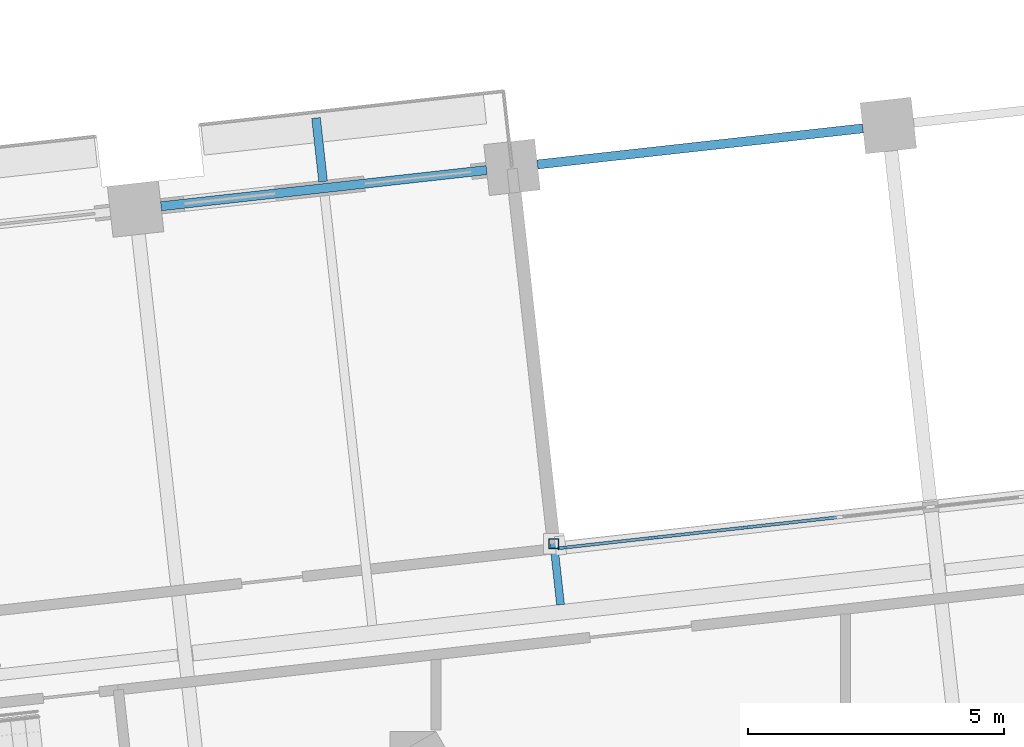
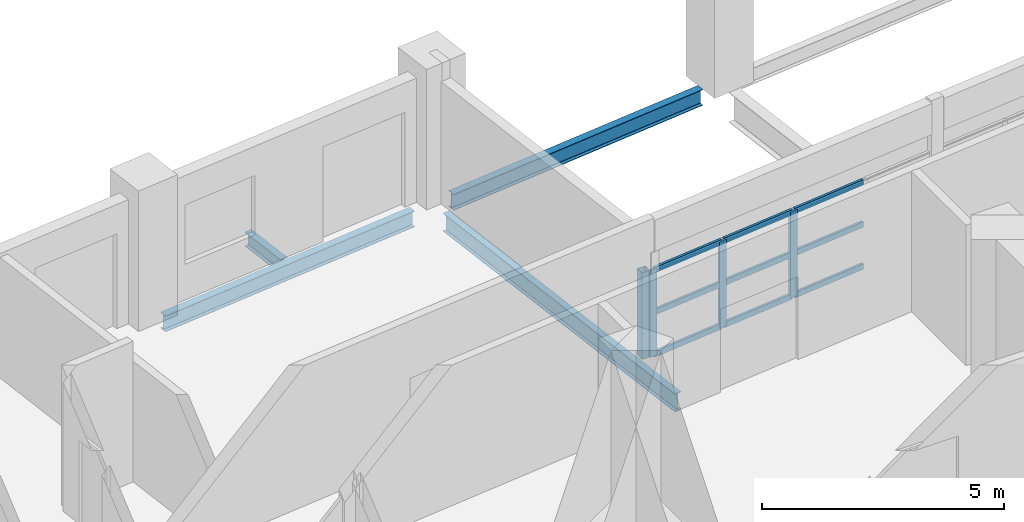
# One storey, part 3 of 20: 13 members, 4 beams, 1 element without a shape of its own.
"""IFC4 building model written with IfcOpenShell, lengths in metres."""

from ifc_helpers import new_model, si_unit, direction, frame, origin, origin_2d, place, context, subcontext, project, spatial, rectangle, hollow_rectangle, i_section, extrude, material, material_profile, profile_set, type_object, element, aggregate, save


model = new_model("IFC4")

# Units and contexts
model_context = context("Model", 3, precision=1e-05, world=origin(), true_north=direction((0.0, 1.0)))
body_context = subcontext(model_context, "Body", "Model", "MODEL_VIEW")
ifc_project = project(units=[si_unit("LENGTHUNIT", "METRE"), si_unit("AREAUNIT", "SQUARE_METRE"), si_unit("VOLUMEUNIT", "CUBIC_METRE"), si_unit("PLANEANGLEUNIT", "RADIAN"), si_unit("MASSUNIT", "GRAM", prefix="KILO")], contexts=[model_context])

# Site, building, storey
site_placement = place(None, origin())
site = spatial("IfcSite", under=ifc_project, at=site_placement, CompositionType="ELEMENT")
building_placement = place(site_placement, origin())
building = spatial("IfcBuilding", under=site, at=building_placement, Name="Cantera Rosa Tower", CompositionType="ELEMENT")
storey_placement = place(building_placement, frame((0.0, 0.0, 46.300048828125)))
storey = spatial("IfcBuildingStorey", under=building, at=storey_placement, Name="L08", CompositionType="ELEMENT", Elevation=46.300048828125)

# Curtain wall, members
ifc_material_1 = material(Name="Aluminium frame with clear glass", Category="aluminium")
curtain_wall_type = type_object("IfcCurtainWallType", Name="CW1 TERRACE POCKET GLAZING", PredefinedType="NOTDEFINED", material=ifc_material_1)
curtain_wall_placement = place(storey_placement, origin())
curtain_wall = element("IfcCurtainWall", 1, at=curtain_wall_placement, inside=storey, type_object=curtain_wall_type, Name="CW1 CW1", PredefinedType="NOTDEFINED")
ifc_material_2 = material(Name="Anodised bronze aluminium", Category="aluminium")
ifc_material_profile_1 = material_profile(ifc_material_2, rectangle(XDim=0.06005859375, YDim=0.179931640625, at=origin_2d()), Name="CW-MULLION 60x180 POCKET")
ifc_profile_set_1 = profile_set([ifc_material_profile_1], Name="Anodised bronze aluminium")
member_type_1 = type_object("IfcMemberType", Name="CW-MULLION 60x180 POCKET", PredefinedType="MULLION", material=ifc_profile_set_1)
member_1_placement = place(storey_placement, frame((2.0517578125, 15.62158203125, 0.0), z_axis=(0.0, 0.0, 1.0), x_axis=(0.110312555543, -0.993896946413, 0.0)))
member_1 = element("IfcMember", 2, at=member_1_placement, type_object=member_type_1, Name="CW1 mullion 7", PredefinedType="MULLION", context=body_context, shape_type="SweptSolid", body=[
    extrude(rectangle(XDim=0.06005859375, YDim=0.179931640625, at=origin_2d()), origin(), (0.0, 0.0, 1.0), 2.18603515625),
])
member_2_placement = place(storey_placement, frame((0.244140625, 15.421142578125, 0.0), z_axis=(0.0, 0.0, 1.0), x_axis=(0.110312555543, -0.993896946413, 0.0)))
member_2 = element("IfcMember", 3, at=member_2_placement, type_object=member_type_1, Name="CW1 mullion 8", PredefinedType="MULLION", context=body_context, shape_type="SweptSolid", body=[
    extrude(rectangle(XDim=0.06005859375, YDim=0.179931640625, at=origin_2d()), origin(), (0.0, 0.0, 1.0), 2.18603515625),
])
member_3_placement = place(storey_placement, frame((-1.53369140625, 15.2236328125, 0.0), z_axis=(0.0, 0.0, 1.0), x_axis=(0.110312555543, -0.993896946413, 0.0)))
member_3 = element("IfcMember", 4, at=member_3_placement, type_object=member_type_1, Name="CW1 mullion 9", PredefinedType="MULLION", context=body_context, shape_type="SweptSolid", body=[
    extrude(rectangle(XDim=0.06005859375, YDim=0.179931640625, at=origin_2d()), origin(), (0.0, 0.0, 1.0), 2.18603515625),
])
ifc_material_3 = material(Name="Anodised bronze aluminium", Category="aluminium")
ifc_material_profile_2 = material_profile(ifc_material_3, rectangle(XDim=0.06005859375, YDim=0.139892578125, at=origin_2d()), Name="CW-TRANSOM 60x140 POCKET")
ifc_profile_set_2 = profile_set([ifc_material_profile_2], Name="Anodised bronze aluminium")
member_type_2 = type_object("IfcMemberType", Name="CW-TRANSOM 60x140 POCKET", PredefinedType="USERDEFINED", material=ifc_profile_set_2)
member_4_placement = place(storey_placement, frame((3.82958984375, 15.819091796875, 0.030029296875), z_axis=(-0.993892195886, -0.110355348566, 0.0), x_axis=(0.110355348566, -0.993892195886, 0.0)))
member_4 = element("IfcMember", 5, at=member_4_placement, type_object=member_type_2, Name="CW1 transom 6.1", ObjectType="TRANSOM", PredefinedType="USERDEFINED", context=body_context, shape_type="SweptSolid", body=[
    extrude(rectangle(XDim=0.06005859375, YDim=0.139892578125, at=origin_2d()), origin(), (0.0, 0.0, 1.0), 1.7587890625),
])
member_5_placement = place(storey_placement, frame((3.82958984375, 15.819091796875, 1.093017578125), z_axis=(-0.993892195886, -0.110355348566, 0.0), x_axis=(0.110355348566, -0.993892195886, 0.0)))
member_5 = element("IfcMember", 6, at=member_5_placement, type_object=member_type_2, Name="CW1 transom 6.2", ObjectType="TRANSOM", PredefinedType="USERDEFINED", context=body_context, shape_type="SweptSolid", body=[
    extrude(rectangle(XDim=0.06005859375, YDim=0.139892578125, at=origin_2d()), origin(), (0.0, 0.0, 1.0), 1.7587890625),
])
member_6_placement = place(storey_placement, frame((3.82958984375, 15.819091796875, 2.156005859375), z_axis=(-0.993892195886, -0.110355348566, 0.0), x_axis=(0.110355348566, -0.993892195886, 0.0)))
member_6 = element("IfcMember", 7, at=member_6_placement, type_object=member_type_2, Name="CW1 transom 6.3", ObjectType="TRANSOM", PredefinedType="USERDEFINED", context=body_context, shape_type="SweptSolid", body=[
    extrude(rectangle(XDim=0.06005859375, YDim=0.139892578125, at=origin_2d()), origin(), (0.0, 0.0, 1.0), 1.7587890625),
])
member_7_placement = place(storey_placement, frame((2.02197265625, 15.618408203125, 0.030029296875), z_axis=(-0.993892195886, -0.110355348566, 0.0), x_axis=(0.110355348566, -0.993892195886, 0.0)))
member_7 = element("IfcMember", 8, at=member_7_placement, type_object=member_type_2, Name="CW1 transom 7.1", ObjectType="TRANSOM", PredefinedType="USERDEFINED", context=body_context, shape_type="SweptSolid", body=[
    extrude(rectangle(XDim=0.06005859375, YDim=0.139892578125, at=origin_2d()), origin(), (0.0, 0.0, 1.0), 1.7587890625),
])
member_8_placement = place(storey_placement, frame((2.02197265625, 15.618408203125, 1.093017578125), z_axis=(-0.993892195886, -0.110355348566, 0.0), x_axis=(0.110355348566, -0.993892195886, 0.0)))
member_8 = element("IfcMember", 9, at=member_8_placement, type_object=member_type_2, Name="CW1 transom 7.2", ObjectType="TRANSOM", PredefinedType="USERDEFINED", context=body_context, shape_type="SweptSolid", body=[
    extrude(rectangle(XDim=0.06005859375, YDim=0.139892578125, at=origin_2d()), origin(), (0.0, 0.0, 1.0), 1.7587890625),
])
member_9_placement = place(storey_placement, frame((2.02197265625, 15.618408203125, 2.156005859375), z_axis=(-0.993892195886, -0.110355348566, 0.0), x_axis=(0.110355348566, -0.993892195886, 0.0)))
member_9 = element("IfcMember", 10, at=member_9_placement, type_object=member_type_2, Name="CW1 transom 7.3", ObjectType="TRANSOM", PredefinedType="USERDEFINED", context=body_context, shape_type="SweptSolid", body=[
    extrude(rectangle(XDim=0.06005859375, YDim=0.139892578125, at=origin_2d()), origin(), (0.0, 0.0, 1.0), 1.7587890625),
])
member_10_placement = place(storey_placement, frame((0.21435546875, 15.417724609375, 0.030029296875), z_axis=(-0.993899224529, -0.110292028184, 0.0), x_axis=(0.110292028184, -0.993899224529, 0.0)))
member_10 = element("IfcMember", 11, at=member_10_placement, type_object=member_type_2, Name="CW1 transom 8.1", ObjectType="TRANSOM", PredefinedType="USERDEFINED", context=body_context, shape_type="SweptSolid", body=[
    extrude(rectangle(XDim=0.06005859375, YDim=0.139892578125, at=origin_2d()), origin(), (0.0, 0.0, 1.0), 1.728759765625),
])
member_11_placement = place(storey_placement, frame((0.21435546875, 15.417724609375, 1.093017578125), z_axis=(-0.993899224529, -0.110292028184, 0.0), x_axis=(0.110292028184, -0.993899224529, 0.0)))
member_11 = element("IfcMember", 12, at=member_11_placement, type_object=member_type_2, Name="CW1 transom 8.2", ObjectType="TRANSOM", PredefinedType="USERDEFINED", context=body_context, shape_type="SweptSolid", body=[
    extrude(rectangle(XDim=0.06005859375, YDim=0.139892578125, at=origin_2d()), origin(), (0.0, 0.0, 1.0), 1.728759765625),
])
member_12_placement = place(storey_placement, frame((0.21435546875, 15.417724609375, 2.156005859375), z_axis=(-0.993899224529, -0.110292028184, 0.0), x_axis=(0.110292028184, -0.993899224529, 0.0)))
member_12 = element("IfcMember", 13, at=member_12_placement, type_object=member_type_2, Name="CW1 transom 8.3", ObjectType="TRANSOM", PredefinedType="USERDEFINED", context=body_context, shape_type="SweptSolid", body=[
    extrude(rectangle(XDim=0.06005859375, YDim=0.139892578125, at=origin_2d()), origin(), (0.0, 0.0, 1.0), 1.728759765625),
])
aggregate(curtain_wall, [member_1, member_2, member_3, member_4, member_5, member_6, member_7, member_8, member_9, member_10, member_11, member_12])

# Member
ifc_material_4 = material(Name="Steel ASTM A992 (Fy 345 MPa)", Category="steel")
ifc_material_profile_3 = material_profile(ifc_material_4, hollow_rectangle(XDim=0.199951171875, YDim=0.199951171875, WallThickness=0.010009765625, at=origin_2d()), Name="LINTEL POST RHS 200x200x10")
ifc_profile_set_3 = profile_set([ifc_material_profile_3], Name="Steel ASTM A992 (Fy 345 MPa)")
member_type_3 = type_object("IfcMemberType", Name="LINTEL POST RHS 200x200x10", PredefinedType="USERDEFINED", material=ifc_profile_set_3)
member_13_placement = place(storey_placement, frame((-1.69873046875, 15.305908203125, 0.0), z_axis=(0.0, 0.0, 1.0), x_axis=(1.0, 0.0, 0.0)))
element("IfcMember", 14, at=member_13_placement, inside=storey, type_object=member_type_3, Name="LINTEL POST L08-2", ObjectType="LINTEL POST", PredefinedType="USERDEFINED", context=body_context, shape_type="SweptSolid", body=[
    extrude(hollow_rectangle(XDim=0.199951171875, YDim=0.199951171875, WallThickness=0.010009765625, at=origin_2d()), origin(), (0.0, 0.0, 1.0), 2.18798828125),
])

# Beams
ifc_material_5 = material(Name="Steel ASTM A992 (Fy 345 MPa)", Category="steel")
ifc_material_profile_4 = material_profile(ifc_material_5, i_section(OverallWidth=0.154052734375, OverallDepth=0.4599609375, WebThickness=0.009033203125, FlangeThickness=0.015380859375, FilletRadius=0.01025390625, at=origin_2d()), Name="W460X68")
ifc_profile_set_4 = profile_set([ifc_material_profile_4], Name="Steel ASTM A992 (Fy 345 MPa)")
beam_type_1 = type_object("IfcBeamType", Name="STEEL BEAM W460X68", PredefinedType="BEAM", material=ifc_profile_set_4)
beam_1_placement = place(storey_placement, frame((-2.4599609375, 22.163818359375, -0.47998046875), z_axis=(0.110315740112, -0.993896592953, 0.0), x_axis=(0.993896592953, 0.110315740112, 0.0)))
element("IfcBeam", 15, at=beam_1_placement, inside=storey, type_object=beam_type_1, Name="G-Z1-07 L08", PredefinedType="BEAM", context=body_context, shape_type="SweptSolid", body=[
    extrude(i_section(OverallWidth=0.154052734375, OverallDepth=0.4599609375, WebThickness=0.009033203125, FlangeThickness=0.015380859375, FilletRadius=0.01025390625, at=origin_2d()), origin(), (0.0, 0.0, 1.0), 8.099853515625),
])
ifc_material_6 = material(Name="Steel ASTM A992 (Fy 345 MPa)", Category="steel")
ifc_material_profile_5 = material_profile(ifc_material_6, i_section(OverallWidth=0.1708984375, OverallDepth=0.35595703125, WebThickness=0.00732421875, FlangeThickness=0.01171875, FilletRadius=0.010009765625, at=origin_2d()), Name="W360X51")
ifc_profile_set_5 = profile_set([ifc_material_profile_5], Name="Steel ASTM A992 (Fy 345 MPa)")
beam_type_2 = type_object("IfcBeamType", Name="STEEL JOIST W360X51", PredefinedType="JOIST", material=ifc_profile_set_5)
beam_2_placement = place(storey_placement, frame((-6.206787109375, 22.3818359375, -0.427978515625), z_axis=(-0.110345783203, 0.993893257915, 0.0), x_axis=(-0.993893257915, -0.110345783203, 0.0)))
element("IfcBeam", 16, at=beam_2_placement, inside=storey, type_object=beam_type_2, Name="BS-Z1-01 L08", PredefinedType="JOIST", context=body_context, shape_type="SweptSolid", body=[
    extrude(i_section(OverallWidth=0.1708984375, OverallDepth=0.35595703125, WebThickness=0.00732421875, FlangeThickness=0.01171875, FilletRadius=0.010009765625, at=origin_2d()), origin(), (0.0, 0.0, 1.0), 1.25),
])
ifc_material_7 = material(Name="Steel ASTM A992 (Fy 345 MPa)", Category="steel")
ifc_material_profile_6 = material_profile(ifc_material_7, i_section(OverallWidth=0.177978515625, OverallDepth=0.406005859375, WebThickness=0.0078125, FlangeThickness=0.0126953125, FilletRadius=0.01025390625, at=origin_2d()), Name="W410X60")
ifc_profile_set_6 = profile_set([ifc_material_profile_6], Name="Steel ASTM A992 (Fy 345 MPa)")
beam_type_3 = type_object("IfcBeamType", Name="STEEL SPANDREL BEAM W410X60", PredefinedType="SPANDREL", material=ifc_profile_set_6)
beam_3_placement = place(storey_placement, frame((4.3427734375, 23.422119140625, -0.453125), z_axis=(-0.993895824271, -0.110322665379, 0.0), x_axis=(0.110322665379, -0.993895824271, 0.0)))
element("IfcBeam", 17, at=beam_3_placement, inside=storey, type_object=beam_type_3, Name="EB-Z1-10 L08", PredefinedType="SPANDREL", context=body_context, shape_type="SweptSolid", body=[
    extrude(i_section(OverallWidth=0.177978515625, OverallDepth=0.406005859375, WebThickness=0.0078125, FlangeThickness=0.0126953125, FilletRadius=0.01025390625, at=origin_2d()), origin(), (0.0, 0.0, 1.0), 6.39990234375),
])
beam_4_placement = place(storey_placement, frame((-3.011962890625, 22.605712890625, -0.453125), z_axis=(-0.993896288542, -0.110318482689, 0.0), x_axis=(0.110318482689, -0.993896288542, 0.0)))
element("IfcBeam", 18, at=beam_4_placement, inside=storey, type_object=beam_type_3, Name="EB-Z1-11 L08", PredefinedType="SPANDREL", context=body_context, shape_type="SweptSolid", body=[
    extrude(i_section(OverallWidth=0.177978515625, OverallDepth=0.406005859375, WebThickness=0.0078125, FlangeThickness=0.0126953125, FilletRadius=0.01025390625, at=origin_2d()), origin(), (0.0, 0.0, 1.0), 6.400146484375),
])

save(model, "model.ifc")
